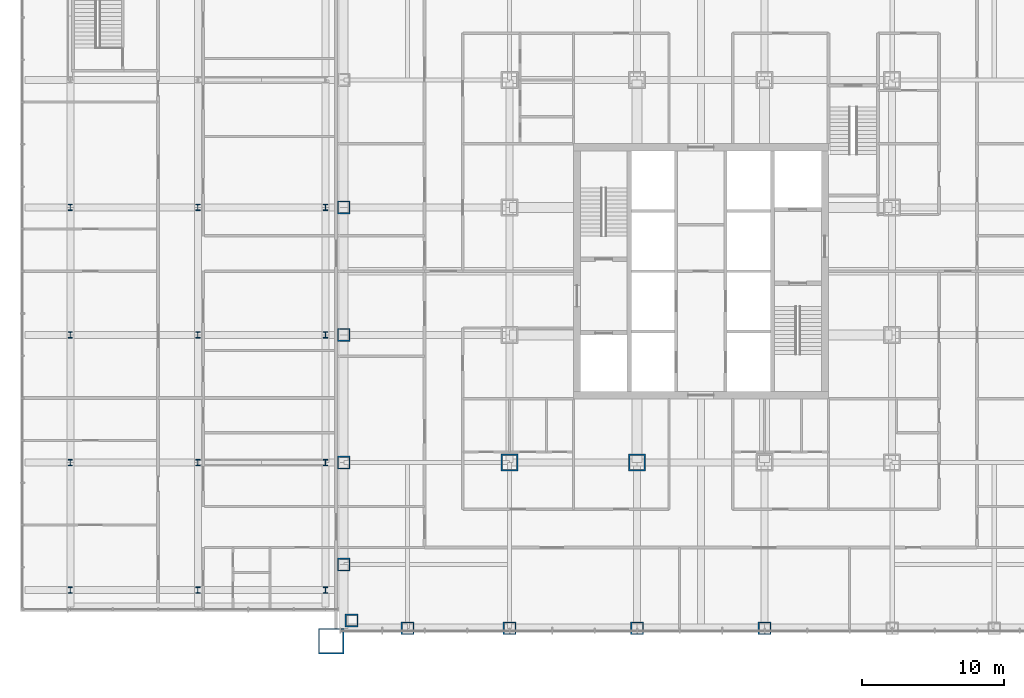
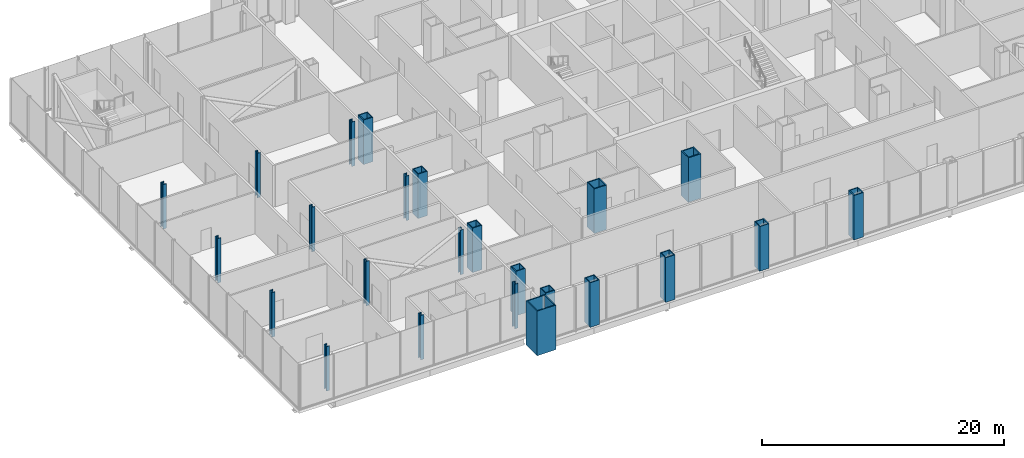
# One storey, part 1 of 25: 24 columns.
"""IFC4 building model written with IfcOpenShell, lengths in metres."""

from ifc_helpers import new_model, si_unit, direction, frame, origin, origin_2d, place, context, subcontext, project, spatial, hollow_rectangle, i_section, extrude, material, material_profile, profile_set, type_object, element, save


model = new_model("IFC4")

# Units and contexts
model_context = context("Model", 3, precision=1e-05, world=origin(), true_north=direction((0.0, 1.0)))
body_context = subcontext(model_context, "Body", "Model", "MODEL_VIEW")
ifc_project = project(units=[si_unit("LENGTHUNIT", "METRE"), si_unit("AREAUNIT", "SQUARE_METRE"), si_unit("VOLUMEUNIT", "CUBIC_METRE"), si_unit("PLANEANGLEUNIT", "RADIAN"), si_unit("MASSUNIT", "GRAM", prefix="KILO")], contexts=[model_context])

# Site, building, storey
site_placement = place(None, origin())
site = spatial("IfcSite", under=ifc_project, at=site_placement, CompositionType="ELEMENT")
building_placement = place(site_placement, origin())
building = spatial("IfcBuilding", under=site, at=building_placement, Name="Malebo Sky Hospital", CompositionType="ELEMENT")
storey_placement = place(building_placement, frame((0.0, 0.0, 16.5)))
storey = spatial("IfcBuildingStorey", under=building, at=storey_placement, Name="L03", CompositionType="ELEMENT", Elevation=16.5)

# Columns
ifc_material_1 = material(Name="Steel S460", Category="steel")
ifc_material_profile_1 = material_profile(ifc_material_1, hollow_rectangle(XDim=1.199951171875, YDim=1.199951171875, WallThickness=0.10009765625, at=origin_2d()), Name="BOX 1200x1200x100")
ifc_profile_set_1 = profile_set([ifc_material_profile_1], Name="Steel S460")
column_type_1 = type_object("IfcColumnType", Name="INNER COLUMN BOX 1200x1200x100", PredefinedType="COLUMN", material=ifc_profile_set_1)
for number, where, z_axis, x_axis, name in (
    (1, (46.5, 48.5, 0.0), (0.0, 0.0, 1.0), (1.0, 0.0, 0.0), "Column IC11 L03"),
    (2, (55.5, 48.5, 0.0), (0.0, 0.0, 1.0), (1.0, 0.0, 0.0), "Column IC11 L03"),
):
    element("IfcColumn", number, at=place(storey_placement, frame(where, z_axis=z_axis, x_axis=x_axis)), inside=storey, type_object=column_type_1, Name=name, PredefinedType="COLUMN", context=body_context, shape_type="SweptSolid", body=[
        extrude(hollow_rectangle(XDim=1.199951171875, YDim=1.199951171875, WallThickness=0.10009765625, at=origin_2d()), origin(), (0.0, 0.0, 1.0), 4.5),
    ])
ifc_material_profile_2 = material_profile(ifc_material_1, hollow_rectangle(XDim=1.800048828125, YDim=1.800048828125, WallThickness=0.10009765625, at=origin_2d()), Name="BOX 1800x1800x100")
ifc_profile_set_2 = profile_set([ifc_material_profile_2], Name="Steel S460")
column_type_2 = type_object("IfcColumnType", Name="MEGA COLUMN BOX 1800x1800x100", PredefinedType="COLUMN", material=ifc_profile_set_2)
column_placement = place(storey_placement, frame((33.89990234375, 35.89990234375, 0.0), z_axis=(0.0, 0.0, 1.0), x_axis=(1.0, 0.0, 0.0)))
element("IfcColumn", 3, at=column_placement, inside=storey, type_object=column_type_2, Name="Mega column SW L03", PredefinedType="COLUMN", context=body_context, shape_type="SweptSolid", body=[
    extrude(hollow_rectangle(XDim=1.800048828125, YDim=1.800048828125, WallThickness=0.10009765625, at=origin_2d()), origin(), (0.0, 0.0, 1.0), 4.5),
])
ifc_material_profile_3 = material_profile(ifc_material_1, hollow_rectangle(XDim=0.89990234375, YDim=0.89990234375, WallThickness=0.080078125, at=origin_2d()), Name="BOX 900x900x80")
ifc_profile_set_3 = profile_set([ifc_material_profile_3], Name="Steel S460")
column_type_3 = type_object("IfcColumnType", Name="PERIMETER COLUMN BOX 900x900x80", PredefinedType="COLUMN", material=ifc_profile_set_3)
for number, where, z_axis, x_axis, name in (
    (4, (39.300048828125, 36.800048828125, 0.0), (0.0, 0.0, 1.0), (1.0, 0.0, 0.0), "Column PC8 L03"),
    (5, (34.800048828125, 41.300048828125, 0.0), (0.0, 0.0, 1.0), (1.0, 0.0, 0.0), "Column PC8 L03"),
    (6, (46.5, 36.800048828125, 0.0), (0.0, 0.0, 1.0), (1.0, 0.0, 0.0), "Column PC8 L03"),
    (7, (34.800048828125, 48.5, 0.0), (0.0, 0.0, 1.0), (1.0, 0.0, 0.0), "Column PC8 L03"),
    (8, (55.5, 36.800048828125, 0.0), (0.0, 0.0, 1.0), (1.0, 0.0, 0.0), "Column PC8 L03"),
    (9, (34.800048828125, 57.5, 0.0), (0.0, 0.0, 1.0), (1.0, 0.0, 0.0), "Column PC8 L03"),
    (10, (64.5, 36.800048828125, 0.0), (0.0, 0.0, 1.0), (1.0, 0.0, 0.0), "Column PC8 L03"),
    (11, (34.800048828125, 66.5, 0.0), (0.0, 0.0, 1.0), (1.0, 0.0, 0.0), "Column PC8 L03"),
    (12, (35.35009765625, 37.35009765625, 0.0), (0.0, 0.0, 1.0), (1.0, 0.0, 0.0), "Column PC8 L03"),
):
    element("IfcColumn", number, at=place(storey_placement, frame(where, z_axis=z_axis, x_axis=x_axis)), inside=storey, type_object=column_type_3, Name=name, PredefinedType="COLUMN", context=body_context, shape_type="SweptSolid", body=[
        extrude(hollow_rectangle(XDim=0.89990234375, YDim=0.89990234375, WallThickness=0.080078125, at=origin_2d()), origin(), (0.0, 0.0, 1.0), 4.5),
    ])
ifc_material_2 = material(Name="Steel S355", Category="steel")
ifc_material_profile_4 = material_profile(ifc_material_2, i_section(OverallWidth=0.306884765625, OverallDepth=0.431884765625, WebThickness=0.02099609375, FlangeThickness=0.0400390625, FilletRadius=0.027099609375, at=origin_2d()), Name="HEM 400")
ifc_profile_set_4 = profile_set([ifc_material_profile_4], Name="Steel S355")
column_type_4 = type_object("IfcColumnType", Name="PODIUM COLUMN HEM 400", PredefinedType="COLUMN", material=ifc_profile_set_4)
for number, where, z_axis, x_axis, name in (
    (13, (15.5, 39.5, 0.0), (0.0, 0.0, 1.0), (1.0, 0.0, 0.0), "Podium column 15.5/39.5 L03"),
    (14, (15.5, 48.5, 0.0), (0.0, 0.0, 1.0), (1.0, 0.0, 0.0), "Podium column 15.5/48.5 L03"),
    (15, (15.5, 57.5, 0.0), (0.0, 0.0, 1.0), (1.0, 0.0, 0.0), "Podium column 15.5/57.5 L03"),
    (16, (15.5, 66.5, 0.0), (0.0, 0.0, 1.0), (1.0, 0.0, 0.0), "Podium column 15.5/66.5 L03"),
    (17, (24.5, 39.5, 0.0), (0.0, 0.0, 1.0), (1.0, 0.0, 0.0), "Podium column 24.5/39.5 L03"),
    (18, (24.5, 48.5, 0.0), (0.0, 0.0, 1.0), (1.0, 0.0, 0.0), "Podium column 24.5/48.5 L03"),
    (19, (24.5, 57.5, 0.0), (0.0, 0.0, 1.0), (1.0, 0.0, 0.0), "Podium column 24.5/57.5 L03"),
    (20, (24.5, 66.5, 0.0), (0.0, 0.0, 1.0), (1.0, 0.0, 0.0), "Podium column 24.5/66.5 L03"),
    (21, (33.5, 39.5, 0.0), (0.0, 0.0, 1.0), (1.0, 0.0, 0.0), "Podium column 33.5/39.5 L03"),
    (22, (33.5, 48.5, 0.0), (0.0, 0.0, 1.0), (1.0, 0.0, 0.0), "Podium column 33.5/48.5 L03"),
    (23, (33.5, 57.5, 0.0), (0.0, 0.0, 1.0), (1.0, 0.0, 0.0), "Podium column 33.5/57.5 L03"),
    (24, (33.5, 66.5, 0.0), (0.0, 0.0, 1.0), (1.0, 0.0, 0.0), "Podium column 33.5/66.5 L03"),
):
    element("IfcColumn", number, at=place(storey_placement, frame(where, z_axis=z_axis, x_axis=x_axis)), inside=storey, type_object=column_type_4, Name=name, PredefinedType="COLUMN", context=body_context, shape_type="SweptSolid", body=[
        extrude(i_section(OverallWidth=0.306884765625, OverallDepth=0.431884765625, WebThickness=0.02099609375, FlangeThickness=0.0400390625, FilletRadius=0.027099609375, at=origin_2d()), origin(), (0.0, 0.0, 1.0), 4.5),
    ])

save(model, "model.ifc")
